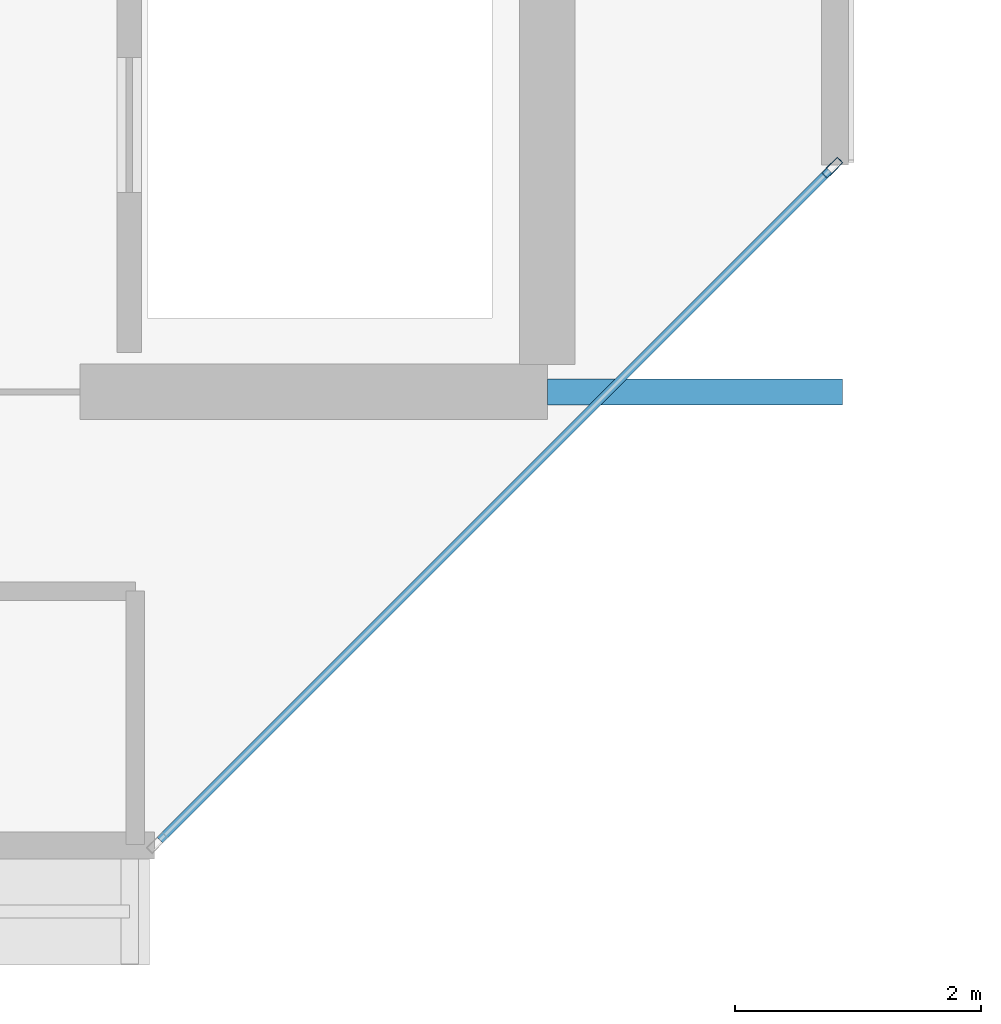
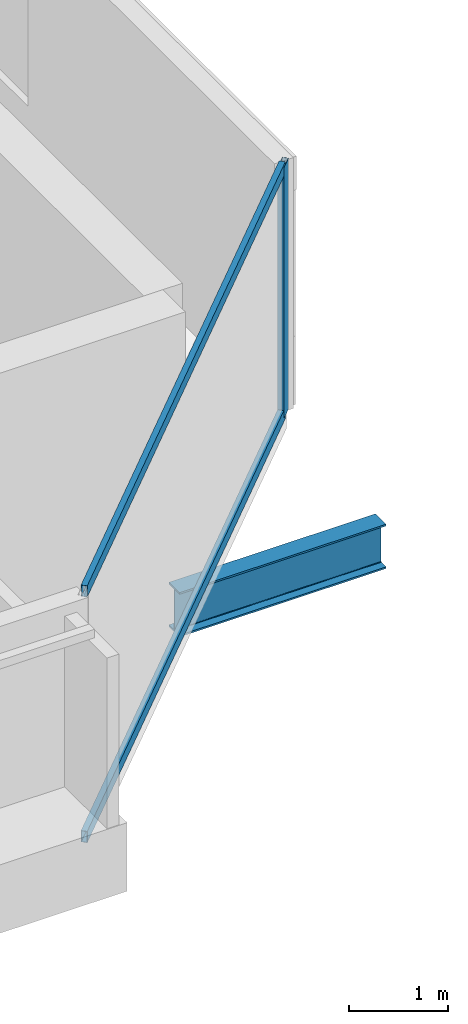
# One storey, part 3 of 28: 3 members, 1 beam, 1 element without a shape of its own.
"""IFC4 building model written with IfcOpenShell, lengths in metres."""

from ifc_helpers import new_model, si_unit, direction, frame, origin, origin_2d, place, context, subcontext, project, spatial, hollow_rectangle, i_section, extrude, material, layer, layer_set, material_profile, profile_set, type_object, element, aggregate, save


model = new_model("IFC4")

# Units and contexts
model_context = context("Model", 3, precision=1e-05, world=origin(), true_north=direction((0.0, 1.0)))
body_context = subcontext(model_context, "Body", "Model", "MODEL_VIEW")
ifc_project = project(units=[si_unit("LENGTHUNIT", "METRE"), si_unit("AREAUNIT", "SQUARE_METRE"), si_unit("VOLUMEUNIT", "CUBIC_METRE"), si_unit("PLANEANGLEUNIT", "RADIAN"), si_unit("MASSUNIT", "GRAM", prefix="KILO")], contexts=[model_context])

# Site, building, storey
site_placement = place(None, origin())
site = spatial("IfcSite", under=ifc_project, at=site_placement, CompositionType="ELEMENT")
building_placement = place(site_placement, origin())
building = spatial("IfcBuilding", under=site, at=building_placement, Name="Tanjung Sevakor Pilgrim Tower", CompositionType="ELEMENT")
storey_placement = place(building_placement, frame((0.0, 0.0, 239.25)))
storey = spatial("IfcBuildingStorey", under=building, at=storey_placement, Name="L67", CompositionType="ELEMENT", Elevation=239.25)

# Beam
ifc_material_1 = material(Name="Steel S355J2", Category="steel")
ifc_material_profile_1 = material_profile(ifc_material_1, i_section(OverallWidth=0.2119140625, OverallDepth=0.54443359375, WebThickness=0.0126953125, FlangeThickness=0.021240234375, FilletRadius=0.0126953125, at=origin_2d()))
ifc_profile_set_1 = profile_set([ifc_material_profile_1], Name="Steel S355J2")
beam_type = type_object("IfcBeamType", Name="BM-B-G5-UB_533x210x122", PredefinedType="BEAM", material=ifc_profile_set_1)
beam_placement = place(storey_placement, frame((36.0, 24.60009765625, -0.4921875), z_axis=(1.0, 0.0, 0.0), x_axis=(0.0, 1.0, 0.0)))
element("IfcBeam", 1, at=beam_placement, inside=storey, type_object=beam_type, Name="L67 West Peak Cantilever Girder 1", PredefinedType="BEAM", context=body_context, shape_type="SweptSolid", body=[
    extrude(i_section(OverallWidth=0.2119140625, OverallDepth=0.54443359375, WebThickness=0.0126953125, FlangeThickness=0.021240234375, FilletRadius=0.0126953125, at=origin_2d()), origin(), (0.0, 0.0, 1.0), 2.39990234375),
])

# Curtain wall, members
ifc_material_2 = material(Name="Aluminium 6063-T6 and Low-E Glass", Category="aluminium")
ifc_layer = layer(ifc_material_2, 0.179931640625)
ifc_layer_set = layer_set([ifc_layer], Name="CW-SYS-CHAM")
curtain_wall_type = type_object("IfcCurtainWallType", Name="CW-SYS-CHAM", PredefinedType="NOTDEFINED", material=ifc_layer_set)
curtain_wall_placement = place(storey_placement, origin())
curtain_wall = element("IfcCurtainWall", 2, at=curtain_wall_placement, inside=storey, type_object=curtain_wall_type, Name="L67 Curtain Wall CW-CHM-L67-WEST-1", PredefinedType="NOTDEFINED")
ifc_material_3 = material(Name="Aluminium 6063-T6", Category="aluminium")
ifc_material_profile_2 = material_profile(ifc_material_3, hollow_rectangle(XDim=0.06494140625, YDim=0.179931640625, WallThickness=0.00390625, at=origin_2d()))
ifc_profile_set_2 = profile_set([ifc_material_profile_2], Name="Aluminium 6063-T6")
member_type_1 = type_object("IfcMemberType", Name="TYPE-CWM-1", PredefinedType="MULLION", material=ifc_profile_set_2)
member_1_placement = place(storey_placement, frame((38.317138671875, 26.422607421875, 0.0), z_axis=(0.0, 0.0, 1.0), x_axis=(-0.707106781187, 0.707106781187, 0.0)))
member_1 = element("IfcMember", 3, at=member_1_placement, type_object=member_type_1, Name="CW-CHM mullion 2", PredefinedType="MULLION", context=body_context, shape_type="SweptSolid", body=[
    extrude(hollow_rectangle(XDim=0.06494140625, YDim=0.179931640625, WallThickness=0.00390625, at=origin_2d()), origin(), (0.0, 0.0, 1.0), 3.080078125),
])
ifc_material_4 = material(Name="Aluminium 6063-T6", Category="aluminium")
ifc_material_profile_3 = material_profile(ifc_material_4, hollow_rectangle(XDim=0.06494140625, YDim=0.139892578125, WallThickness=0.00390625, at=origin_2d()))
ifc_profile_set_3 = profile_set([ifc_material_profile_3], Name="Aluminium 6063-T6")
member_type_2 = type_object("IfcMemberType", Name="TYPE-CWT-1", PredefinedType="USERDEFINED", material=ifc_profile_set_3)
member_2_placement = place(storey_placement, frame((32.850341796875, 20.9560546875, 0.032470703125), z_axis=(0.707106781187, 0.707106781187, 0.0), x_axis=(-0.707106781187, 0.707106781187, 0.0)))
member_2 = element("IfcMember", 4, at=member_2_placement, type_object=member_type_2, Name="CW-CHM transom 1.1", ObjectType="TRANSOM", PredefinedType="USERDEFINED", context=body_context, shape_type="SweptSolid", body=[
    extrude(hollow_rectangle(XDim=0.06494140625, YDim=0.139892578125, WallThickness=0.00390625, at=origin_2d()), origin(), (0.0, 0.0, 1.0), 7.698486328125),
])
member_3_placement = place(storey_placement, frame((32.850341796875, 20.9560546875, 3.047607421875), z_axis=(0.707106781187, 0.707106781187, 0.0), x_axis=(-0.707106781187, 0.707106781187, 0.0)))
member_3 = element("IfcMember", 5, at=member_3_placement, type_object=member_type_2, Name="CW-CHM transom 1.2", ObjectType="TRANSOM", PredefinedType="USERDEFINED", context=body_context, shape_type="SweptSolid", body=[
    extrude(hollow_rectangle(XDim=0.06494140625, YDim=0.139892578125, WallThickness=0.00390625, at=origin_2d()), origin(), (0.0, 0.0, 1.0), 7.698486328125),
])
aggregate(curtain_wall, [member_1, member_2, member_3])

save(model, "model.ifc")
